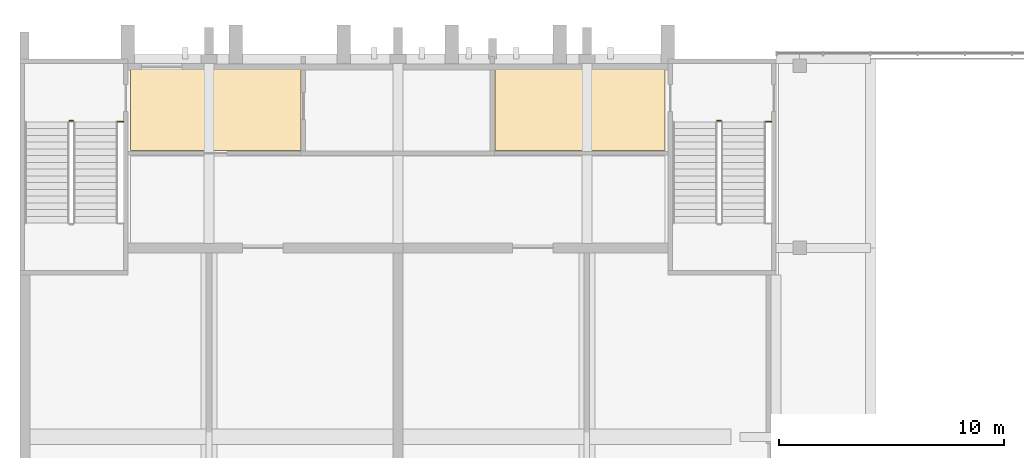
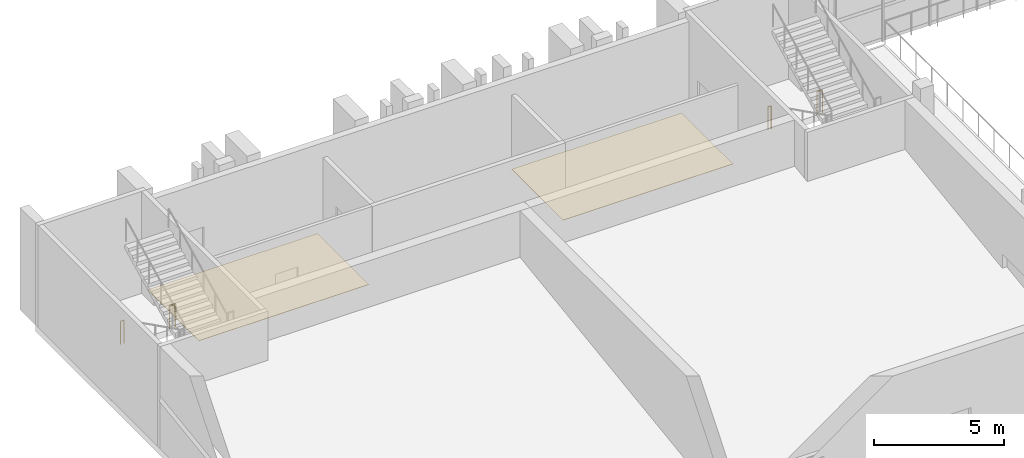
# One storey, part 66 of 67: 4 railings, 2 coverings.
"""IFC4 building model written with IfcOpenShell, lengths in metres."""

from ifc_helpers import new_model, si_unit, direction, frame, origin, origin_2d, place, context, subcontext, project, spatial, polyline, circle, outline, extrude, material, layer, layer_set, type_object, element, save


model = new_model("IFC4")

# Units and contexts
model_context = context("Model", 3, precision=1e-05, world=origin(), true_north=direction((0.0, 1.0)))
body_context = subcontext(model_context, "Body", "Model", "MODEL_VIEW")
ifc_project = project(units=[si_unit("LENGTHUNIT", "METRE"), si_unit("AREAUNIT", "SQUARE_METRE"), si_unit("VOLUMEUNIT", "CUBIC_METRE"), si_unit("PLANEANGLEUNIT", "RADIAN"), si_unit("MASSUNIT", "GRAM", prefix="KILO")], contexts=[model_context])

# Site, building, storey
site_placement = place(None, origin())
site = spatial("IfcSite", under=ifc_project, at=site_placement, CompositionType="ELEMENT")
building_placement = place(site_placement, origin())
building = spatial("IfcBuilding", under=site, at=building_placement, Name="Kiln Court Media Centre", CompositionType="ELEMENT")
storey_placement = place(building_placement, frame((0.0, 0.0, 19.800048828125)))
storey = spatial("IfcBuildingStorey", under=building, at=storey_placement, Name="L04", CompositionType="ELEMENT", Elevation=19.800048828125)

# Coverings
ifc_material_1 = material(Name="Carpet tile")
ifc_layer = layer(ifc_material_1, 0.014892578125)
ifc_layer_set = layer_set([ifc_layer], Name="Carpet tile floor finish 15")
covering_type = type_object("IfcCoveringType", Name="Carpet tile floor finish 15", PredefinedType="FLOORING", material=ifc_layer_set)
covering_1_placement = place(storey_placement, origin())
element("IfcCovering", 1, at=covering_1_placement, inside=storey, type_object=covering_type, Name="Cinema Staff Room floor finish", PredefinedType="FLOORING", context=body_context, shape_type="SweptSolid", body=[
    extrude(outline(polyline([(12.47998046875, 67.080078125), (4.919921875, 67.080078125), (4.919921875, 63.1201171875), (12.47998046875, 63.1201171875), (12.47998046875, 67.080078125)])), origin(), (0.0, 0.0, 1.0), 0.014892578125),
])
covering_2_placement = place(storey_placement, origin())
element("IfcCovering", 2, at=covering_2_placement, inside=storey, type_object=covering_type, Name="Film Library Room floor finish", PredefinedType="FLOORING", context=body_context, shape_type="SweptSolid", body=[
    extrude(outline(polyline([(21.1201171875, 63.1201171875), (28.679931640625, 63.1201171875), (28.679931640625, 67.080078125), (21.1201171875, 67.080078125), (21.1201171875, 63.1201171875)])), origin(), (0.0, 0.0, 1.0), 0.014892578125),
])

# Railings
ifc_material_2 = material(Name="Steel S275", Category="steel")
railing_type = type_object("IfcRailingType", Name="Steel S275 stair guard 1100", PredefinedType="GUARDRAIL", material=ifc_material_2)
railing_1_placement = place(storey_placement, frame((2.199951171875, 64.449951171875, 0.0)))
element("IfcRailing", 3, at=railing_1_placement, inside=storey, type_object=railing_type, Name="ST-07 stair guard", PredefinedType="GUARDRAIL", context=body_context, shape_type="SweptSolid", body=[
    extrude(circle(Radius=0.02392578125, at=origin_2d()), frame((0.0, 0.0, 1.076171875), z_axis=(1.0, 0.0, 0.0), x_axis=(0.0, 1.0, 0.0)), (0.0, 0.0, 1.0), 0.150146484375),
    extrude(circle(Radius=0.02099609375, at=origin_2d()), origin(), (0.0, 0.0, 1.0), 1.052001953125),
    extrude(circle(Radius=0.02099609375, at=origin_2d()), frame((0.150146484375, 0.0, 0.0)), (0.0, 0.0, 1.0), 1.052001953125),
])
railing_2_placement = place(storey_placement, frame((4.35009765625, 64.39990234375, 0.0)))
element("IfcRailing", 4, at=railing_2_placement, inside=storey, type_object=railing_type, Name="ST-07 landing edge guard", PredefinedType="GUARDRAIL", context=body_context, shape_type="SweptSolid", body=[
    extrude(circle(Radius=0.02392578125, at=origin_2d()), frame((0.0, 0.0, 1.076171875), z_axis=(1.0, 0.0, 0.0), x_axis=(0.0, 1.0, 0.0)), (0.0, 0.0, 1.0), 0.25),
    extrude(circle(Radius=0.02099609375, at=origin_2d()), origin(), (0.0, 0.0, 1.0), 1.052001953125),
    extrude(circle(Radius=0.02099609375, at=origin_2d()), frame((0.25, 0.0, 0.0)), (0.0, 0.0, 1.0), 1.052001953125),
])
railing_3_placement = place(storey_placement, frame((31.0, 64.449951171875, 0.0)))
element("IfcRailing", 5, at=railing_3_placement, inside=storey, type_object=railing_type, Name="ST-08 stair guard", PredefinedType="GUARDRAIL", context=body_context, shape_type="SweptSolid", body=[
    extrude(circle(Radius=0.02392578125, at=origin_2d()), frame((0.0, 0.0, 1.076171875), z_axis=(1.0, 0.0, 0.0), x_axis=(0.0, 1.0, 0.0)), (0.0, 0.0, 1.0), 0.14990234375),
    extrude(circle(Radius=0.02099609375, at=origin_2d()), origin(), (0.0, 0.0, 1.0), 1.052001953125),
    extrude(circle(Radius=0.02099609375, at=origin_2d()), frame((0.14990234375, 0.0, 0.0)), (0.0, 0.0, 1.0), 1.052001953125),
])
railing_4_placement = place(storey_placement, frame((33.14990234375, 64.39990234375, 0.0)))
element("IfcRailing", 6, at=railing_4_placement, inside=storey, type_object=railing_type, Name="ST-08 landing edge guard", PredefinedType="GUARDRAIL", context=body_context, shape_type="SweptSolid", body=[
    extrude(circle(Radius=0.02392578125, at=origin_2d()), frame((0.0, 0.0, 1.076171875), z_axis=(1.0, 0.0, 0.0), x_axis=(0.0, 1.0, 0.0)), (0.0, 0.0, 1.0), 0.25),
    extrude(circle(Radius=0.02099609375, at=origin_2d()), origin(), (0.0, 0.0, 1.0), 1.052001953125),
    extrude(circle(Radius=0.02099609375, at=origin_2d()), frame((0.25, 0.0, 0.0)), (0.0, 0.0, 1.0), 1.052001953125),
])

save(model, "model.ifc")
